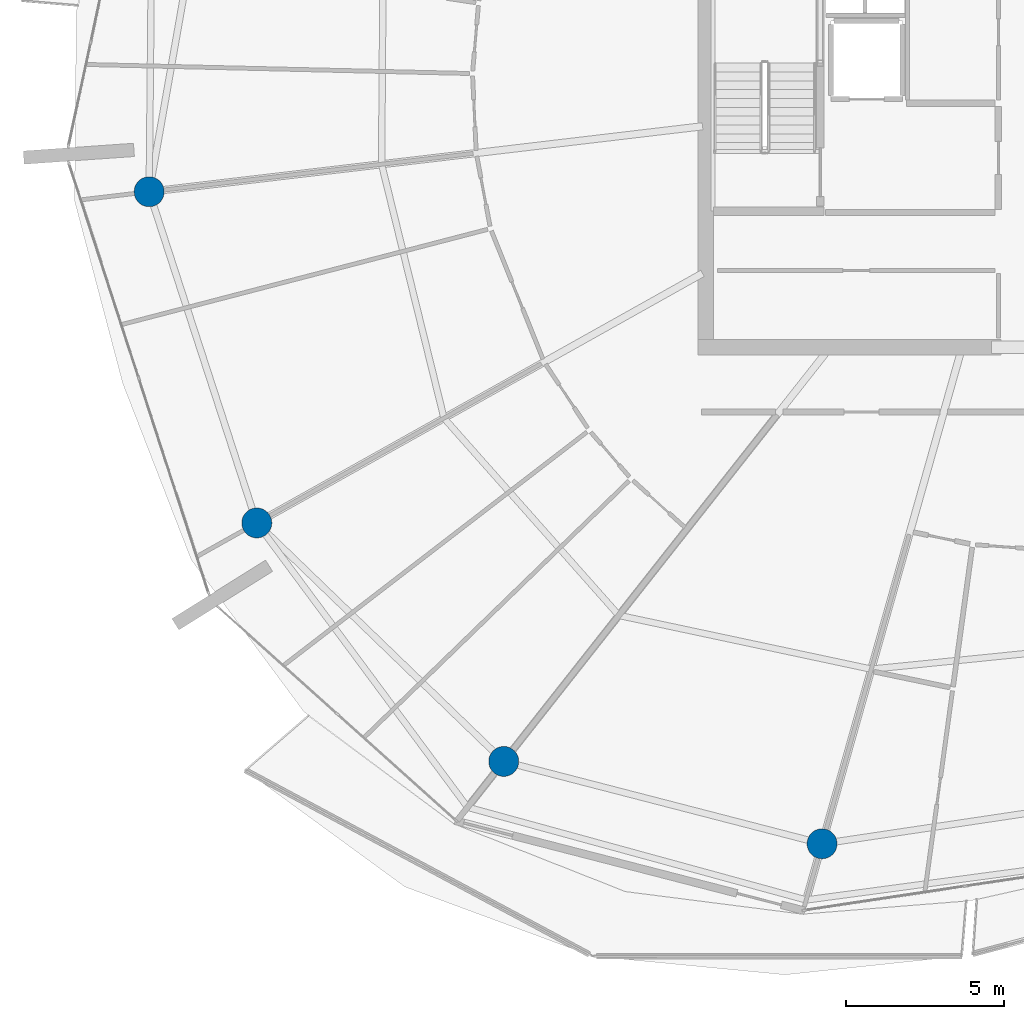
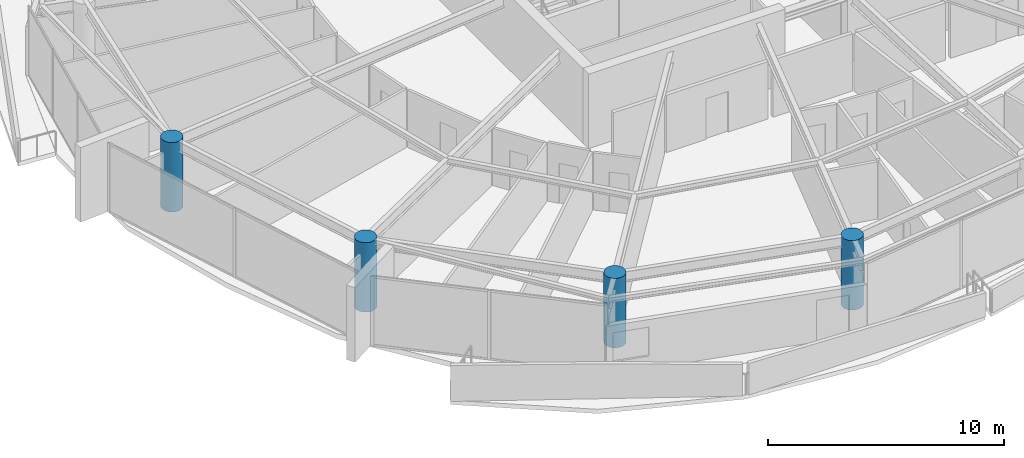
# One storey, part 1 of 30: 4 columns.
"""IFC4 building model written with IfcOpenShell, lengths in metres."""

from ifc_helpers import new_model, si_unit, direction, frame, origin, origin_2d, place, context, subcontext, project, spatial, circle, extrude, material, material_profile, profile_set, type_object, element, save


model = new_model("IFC4")

# Units and contexts
model_context = context("Model", 3, precision=1e-05, world=origin(), true_north=direction((0.0, 1.0)))
body_context = subcontext(model_context, "Body", "Model", "MODEL_VIEW")
ifc_project = project(units=[si_unit("LENGTHUNIT", "METRE"), si_unit("AREAUNIT", "SQUARE_METRE"), si_unit("VOLUMEUNIT", "CUBIC_METRE"), si_unit("PLANEANGLEUNIT", "RADIAN"), si_unit("MASSUNIT", "GRAM", prefix="KILO")], contexts=[model_context])

# Site, building, storey
site_placement = place(None, origin())
site = spatial("IfcSite", under=ifc_project, at=site_placement, CompositionType="ELEMENT")
building_placement = place(site_placement, origin())
building = spatial("IfcBuilding", under=site, at=building_placement, Name="Kazma Halo Residences", CompositionType="ELEMENT")
storey_placement = place(building_placement, frame((0.0, 0.0, 279.050048828125)))
storey = spatial("IfcBuildingStorey", under=building, at=storey_placement, Name="L70", CompositionType="ELEMENT", Elevation=279.050048828125)

# Columns
ifc_material = material(Name="Concrete C60/75", Category="concrete")
ifc_material_profile = material_profile(ifc_material, circle(Radius=0.47509765625, at=origin_2d()), Name="CIRC950")
ifc_profile_set = profile_set([ifc_material_profile], Name="Concrete C60/75")
column_type = type_object("IfcColumnType", Name="COL-PERIM-950", PredefinedType="COLUMN", material=ifc_profile_set)
for number, where, z_axis, x_axis, name in (
    (1, (19.92041015625, 38.676513671875, 0.0), (0.0, 0.0, 1.0), (1.0, 0.0, 0.0), "L70 perimeter ring column P08"),
    (2, (23.32958984375, 28.18408203125, 0.0), (0.0, 0.0, 1.0), (1.0, 0.0, 0.0), "L70 perimeter ring column P09"),
    (3, (31.15283203125, 20.62939453125, 0.0), (0.0, 0.0, 1.0), (1.0, 0.0, 0.0), "L70 perimeter ring column P10"),
    (4, (41.237060546875, 18.0205078125, 0.0), (0.0, 0.0, 1.0), (1.0, 0.0, 0.0), "L70 perimeter ring column P11"),
):
    element("IfcColumn", number, at=place(storey_placement, frame(where, z_axis=z_axis, x_axis=x_axis)), inside=storey, type_object=column_type, Name=name, PredefinedType="COLUMN", context=body_context, shape_type="SweptSolid", body=[
        extrude(circle(Radius=0.47509765625, at=origin_2d()), origin(), (0.0, 0.0, 1.0), 3.58984375),
    ])

save(model, "model.ifc")
